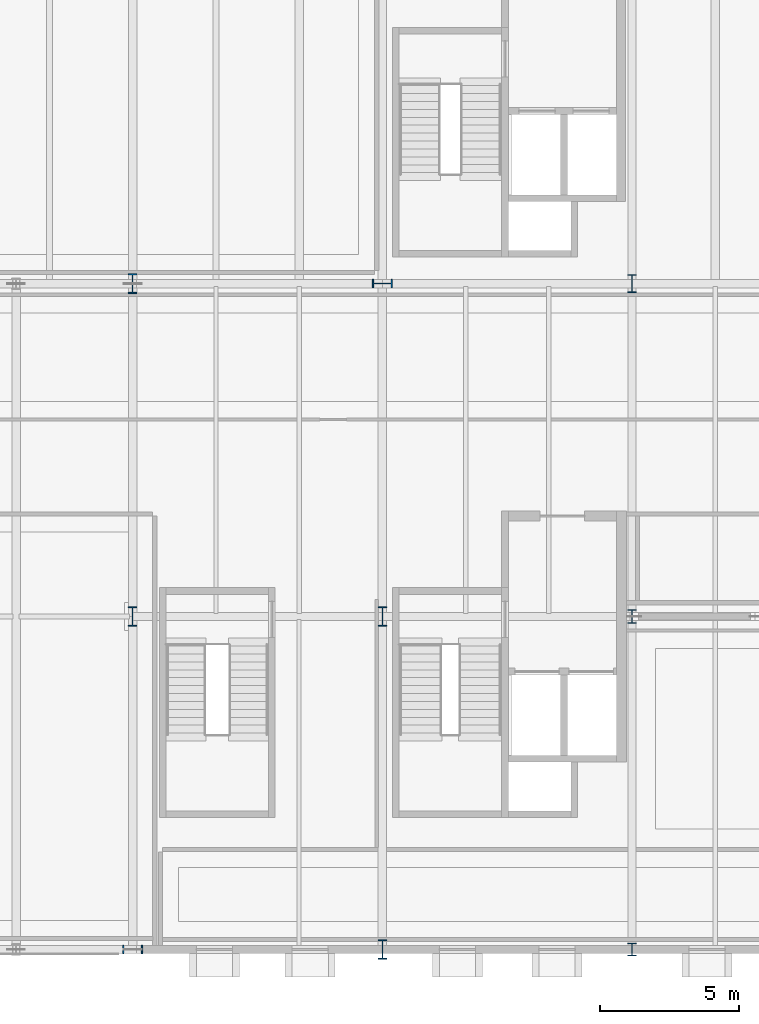
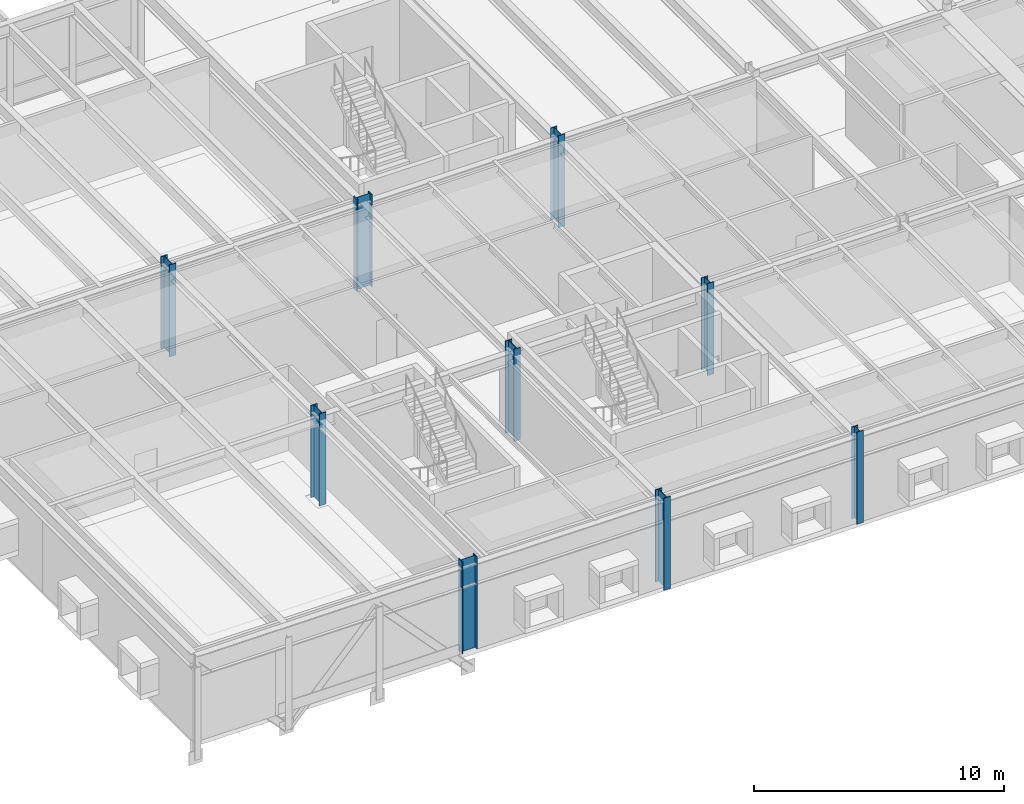
# One storey, part 1 of 127: 9 columns.
"""IFC4 building model written with IfcOpenShell, lengths in metres."""

from ifc_helpers import new_model, si_unit, direction, frame, origin, origin_2d, place, context, subcontext, project, spatial, i_section, extrude, material, material_profile, profile_set, type_object, element, save


model = new_model("IFC4")

# Units and contexts
model_context = context("Model", 3, precision=1e-05, world=origin(), true_north=direction((0.0, 1.0)))
body_context = subcontext(model_context, "Body", "Model", "MODEL_VIEW")
ifc_project = project(units=[si_unit("LENGTHUNIT", "METRE"), si_unit("AREAUNIT", "SQUARE_METRE"), si_unit("VOLUMEUNIT", "CUBIC_METRE"), si_unit("PLANEANGLEUNIT", "RADIAN"), si_unit("MASSUNIT", "GRAM", prefix="KILO")], contexts=[model_context])

# Site, building, storey
site_placement = place(None, origin())
site = spatial("IfcSite", under=ifc_project, at=site_placement, CompositionType="ELEMENT")
building_placement = place(site_placement, origin())
building = spatial("IfcBuilding", under=site, at=building_placement, Name="Montelvaro Courts of Justice", CompositionType="ELEMENT")
storey_placement = place(building_placement, frame((0.0, 0.0, 5.39990234375)))
storey = spatial("IfcBuildingStorey", under=building, at=storey_placement, Name="L01", CompositionType="ELEMENT", Elevation=5.39990234375)

# Columns
ifc_material = material(Name="Steel S355", Category="steel")
ifc_material_profile_1 = material_profile(ifc_material, i_section(OverallWidth=0.300048828125, OverallDepth=0.449951171875, WebThickness=0.013916015625, FlangeThickness=0.02587890625, at=origin_2d()), Name="HEB 450")
ifc_profile_set_1 = profile_set([ifc_material_profile_1], Name="Steel S355")
column_type_1 = type_object("IfcColumnType", Name="Col_HEB450", PredefinedType="COLUMN", material=ifc_profile_set_1)
column_1_placement = place(storey_placement, frame((63.0, 0.0, 0.0), z_axis=(0.0, 0.0, 1.0), x_axis=(1.0, 0.0, 0.0)))
element("IfcColumn", 1, at=column_1_placement, inside=storey, type_object=column_type_1, Name="Column C-08 L01 8/A", PredefinedType="COLUMN", context=body_context, shape_type="SweptSolid", body=[
    extrude(i_section(OverallWidth=0.300048828125, OverallDepth=0.449951171875, WebThickness=0.013916015625, FlangeThickness=0.02587890625, at=origin_2d()), origin(), (0.0, 0.0, 1.0), 4.5),
])
ifc_material_profile_2 = material_profile(ifc_material, i_section(OverallWidth=0.300048828125, OverallDepth=0.5, WebThickness=0.014404296875, FlangeThickness=0.028076171875, at=origin_2d()), Name="HEB 500")
ifc_profile_set_2 = profile_set([ifc_material_profile_2], Name="Steel S355")
column_type_2 = type_object("IfcColumnType", Name="Col_HEB500", PredefinedType="COLUMN", material=ifc_profile_set_2)
column_2_placement = place(storey_placement, frame((63.0, 12.0, 0.0), z_axis=(0.0, 0.0, 1.0), x_axis=(1.0, 0.0, 0.0)))
element("IfcColumn", 2, at=column_2_placement, inside=storey, type_object=column_type_2, Name="Column C-09 L01 8/B", PredefinedType="COLUMN", context=body_context, shape_type="SweptSolid", body=[
    extrude(i_section(OverallWidth=0.300048828125, OverallDepth=0.5, WebThickness=0.014404296875, FlangeThickness=0.028076171875, at=origin_2d()), origin(), (0.0, 0.0, 1.0), 4.5),
])
ifc_material_profile_3 = material_profile(ifc_material, i_section(OverallWidth=0.300048828125, OverallDepth=0.64990234375, WebThickness=0.01611328125, FlangeThickness=0.031005859375, at=origin_2d()), Name="HEB 650")
ifc_profile_set_3 = profile_set([ifc_material_profile_3], Name="Steel S355")
column_type_3 = type_object("IfcColumnType", Name="Col_HEB650", PredefinedType="COLUMN", material=ifc_profile_set_3)
column_3_placement = place(storey_placement, frame((63.0, 24.0, 0.0), z_axis=(0.0, 0.0, 1.0), x_axis=(1.0, 0.0, 0.0)))
element("IfcColumn", 3, at=column_3_placement, inside=storey, type_object=column_type_3, Name="Column C-12 L01 8/C", PredefinedType="COLUMN", context=body_context, shape_type="SweptSolid", body=[
    extrude(i_section(OverallWidth=0.300048828125, OverallDepth=0.64990234375, WebThickness=0.01611328125, FlangeThickness=0.031005859375, at=origin_2d()), origin(), (0.0, 0.0, 1.0), 4.5),
])
ifc_material_profile_4 = material_profile(ifc_material, i_section(OverallWidth=0.303955078125, OverallDepth=0.716064453125, WebThickness=0.02099609375, FlangeThickness=0.0400390625, at=origin_2d()), Name="HEM 700")
ifc_profile_set_4 = profile_set([ifc_material_profile_4], Name="Steel S355")
column_type_4 = type_object("IfcColumnType", Name="Col_HEM700", PredefinedType="COLUMN", material=ifc_profile_set_4)
for number, where, z_axis, x_axis, name in (
    (4, (45.0, 0.0, 0.0), (0.0, 0.0, 1.0), (0.0, 1.0, 0.0), "Column C-16 L01 6/A"),
    (5, (45.0, 12.0, 0.0), (0.0, 0.0, 1.0), (1.0, 0.0, 0.0), "Column C-16 L01 6/B"),
    (6, (45.0, 24.0, 0.0), (0.0, 0.0, 1.0), (1.0, 0.0, 0.0), "Column C-16 L01 6/C"),
    (7, (54.0, 0.0, 0.0), (0.0, 0.0, 1.0), (1.0, 0.0, 0.0), "Column C-16 L01 7/A"),
    (8, (54.0, 12.0, 0.0), (0.0, 0.0, 1.0), (1.0, 0.0, 0.0), "Column C-16 L01 7/B"),
    (9, (54.0, 24.0, 0.0), (0.0, 0.0, 1.0), (0.0, 1.0, 0.0), "Column C-16 L01 7/C"),
):
    element("IfcColumn", number, at=place(storey_placement, frame(where, z_axis=z_axis, x_axis=x_axis)), inside=storey, type_object=column_type_4, Name=name, PredefinedType="COLUMN", context=body_context, shape_type="SweptSolid", body=[
        extrude(i_section(OverallWidth=0.303955078125, OverallDepth=0.716064453125, WebThickness=0.02099609375, FlangeThickness=0.0400390625, at=origin_2d()), origin(), (0.0, 0.0, 1.0), 4.5),
    ])

save(model, "model.ifc")
